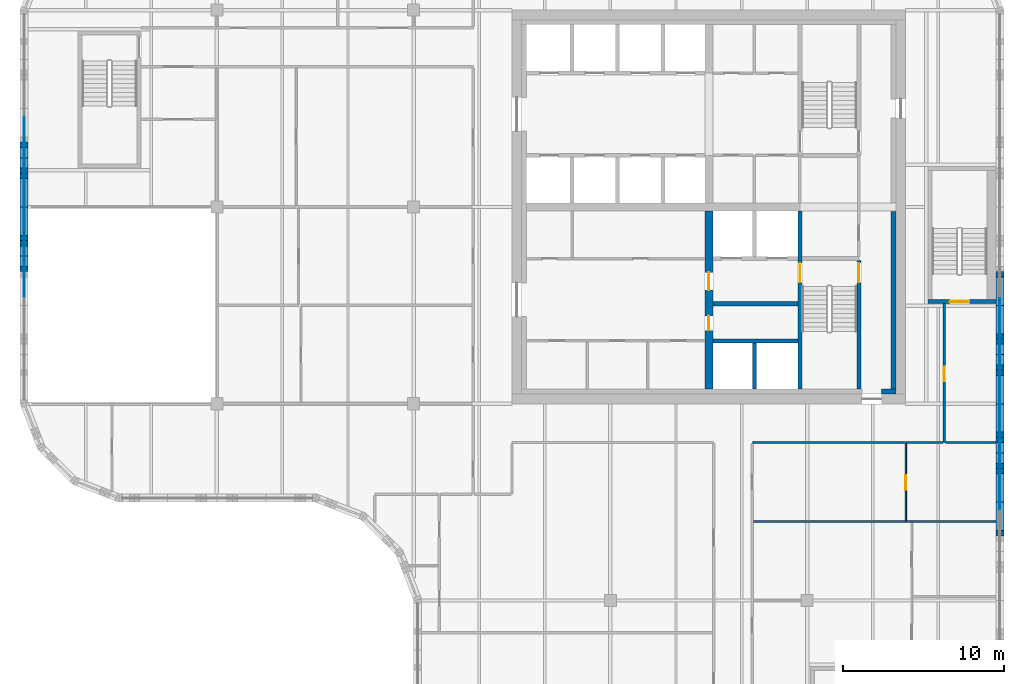
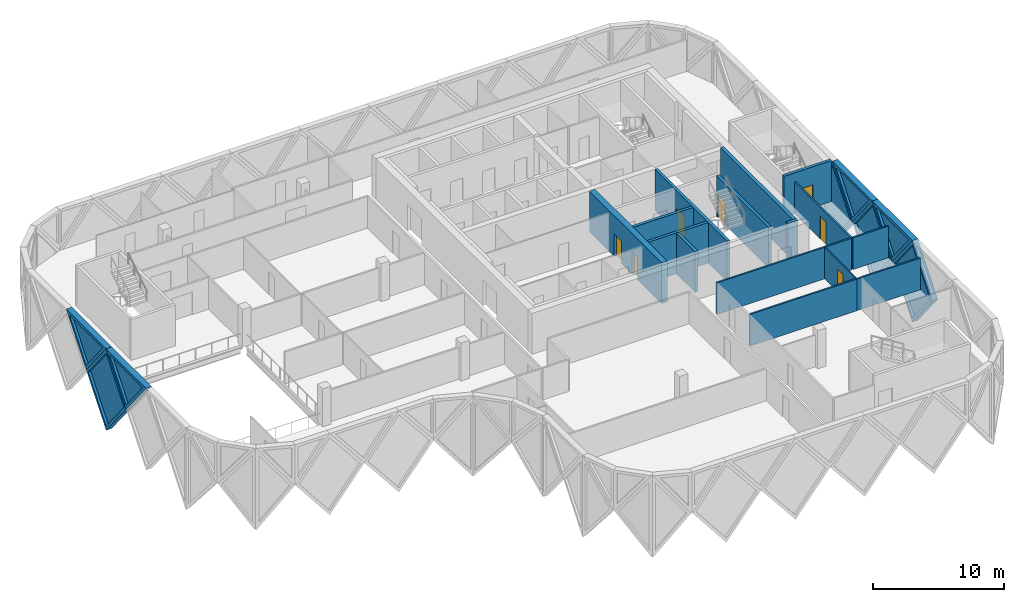
# One storey, part 8 of 15: 25 walls, 8 plates, 7 doors, 15 openings.
"""IFC4 building model written with IfcOpenShell, lengths in metres."""

import ifcopenshell
import ifcopenshell.guid

model = None  # the IFC model being written
_history = None  # IfcOwnerHistory: only IFC2X3 demands one
_inside = {}  # id of a spatial element -> (the spatial element, [elements in it])
_under = {}  # id of a project, library or spatial element -> (it, [spatial elements below it])
_declared = {}  # id of a project -> (the project, [libraries it declares])
_typed = {}  # id of a type object -> (the type object, [elements of that type])
_made_of = {}  # id of a material, layer set ... -> (it, [elements and type objects made of it])


def new_model(schema):
    """Start an empty IFC model of exactly this schema.

    Asked for "IFC4X3", IfcOpenShell would pick the latest addendum, in which some entities
    have other attributes; the version numbers below select the first issue.
    IFC2X3 requires an IfcOwnerHistory on every rooted entity: one is made here for all.
    """
    global model, _history
    if schema == "IFC4X3":
        model = ifcopenshell.file(schema_version=(4, 3, 0, 0))
    else:
        model = ifcopenshell.file(schema=schema)
    _inside.clear()
    _under.clear()
    _declared.clear()
    _typed.clear()
    _made_of.clear()
    _history = None
    if model.schema == "IFC2X3":
        org = make("IfcOrganization", Name="unknown")
        user = make(
            "IfcPersonAndOrganization",
            ThePerson=make("IfcPerson", FamilyName="unknown"),
            TheOrganization=org,
        )
        app = make(
            "IfcApplication",
            ApplicationDeveloper=org,
            Version="unknown",
            ApplicationFullName="unknown",
            ApplicationIdentifier="unknown",
        )
        _history = make(
            "IfcOwnerHistory",
            OwningUser=user,
            OwningApplication=app,
            ChangeAction="ADDED",
            CreationDate=0,
        )
    return model


def make(cls, **values):
    """One entity of the class cls with the attributes given. An attribute that is None is left unset."""
    return model.create_entity(
        cls, **{name: value for name, value in values.items() if value is not None}
    )


def rooted(cls, **values):
    """An entity with a GlobalId (a new one), such as an element, a storey or a relation."""
    return make(cls, GlobalId=ifcopenshell.guid.new(), OwnerHistory=_history, **values)


def si_unit(unit_type, name, prefix=None):
    """IfcSIUnit, for example si_unit("LENGTHUNIT", "METRE", prefix="MILLI")."""
    return make("IfcSIUnit", UnitType=unit_type, Prefix=prefix, Name=name)


def assignment(units):
    """IfcUnitAssignment: the units of a project."""
    return None if units is None else make("IfcUnitAssignment", Units=units)


def point(xyz):
    """IfcCartesianPoint."""
    return None if xyz is None else make("IfcCartesianPoint", Coordinates=xyz)


def direction(xyz):
    """IfcDirection."""
    return None if xyz is None else make("IfcDirection", DirectionRatios=xyz)


def frame(location, z_axis=None, x_axis=None):
    """IfcAxis2Placement3D, a coordinate frame: its origin and axes. An axis left out is left unset."""
    return make(
        "IfcAxis2Placement3D",
        Location=point(location),
        Axis=direction(z_axis),
        RefDirection=direction(x_axis),
    )


def frame_2d(location, x_axis=None):
    """IfcAxis2Placement2D, a coordinate frame in the plane: its origin and x axis."""
    return make(
        "IfcAxis2Placement2D", Location=point(location), RefDirection=direction(x_axis)
    )


def origin():
    """The frame at (0, 0, 0) with its axes left unset."""
    return frame((0.0, 0.0, 0.0))


def place(relative_to, where):
    """IfcLocalPlacement: puts the frame where relative to a parent placement (None: the world)."""
    return make(
        "IfcLocalPlacement", PlacementRelTo=relative_to, RelativePlacement=where
    )


def context(
    kind, dimensions, precision=None, world=None, true_north=None, identifier=None
):
    """IfcGeometricRepresentationContext, for example the 3D "Model" context."""
    return make(
        "IfcGeometricRepresentationContext",
        ContextIdentifier=identifier,
        ContextType=kind,
        CoordinateSpaceDimension=dimensions,
        Precision=precision,
        WorldCoordinateSystem=world,
        TrueNorth=true_north,
    )


def subcontext(parent, identifier, kind, view, scale=None):
    """IfcGeometricRepresentationSubContext, for example "Body" below "Model"."""
    return make(
        "IfcGeometricRepresentationSubContext",
        ContextIdentifier=identifier,
        ContextType=kind,
        ParentContext=parent,
        TargetScale=scale,
        TargetView=view,
    )


def project(units=None, contexts=None):
    """IfcProject with its units and contexts."""
    return rooted(
        "IfcProject",
        Name="project",
        RepresentationContexts=contexts,
        UnitsInContext=assignment(units),
    )


def spatial(cls, under=None, at=None, **own):
    """A site, building, storey or space (cls), placed at a placement, below another one or the project."""
    s = rooted(cls, ObjectPlacement=at, **own)
    if under is not None:
        _under.setdefault(under.id(), (under, []))[1].append(s)
    return s


def polyline(points):
    """IfcPolyline through the points."""
    return make("IfcPolyline", Points=[point(p) for p in points])


def profile(cls, at=None, kind="AREA", **sizes):
    """A parametric profile (cls). Its sizes go by their IFC names, for example OverallWidth=200.0."""
    return make(cls, ProfileType=kind, Position=at, **sizes)


def rectangle(**sizes):
    """IfcRectangleProfileDef."""
    return profile("IfcRectangleProfileDef", **sizes)


def outline(outer, holes=None, kind="AREA"):
    """IfcArbitraryClosedProfileDef: a profile drawn as a closed curve; with holes, ...WithVoids."""
    if holes is None:
        return make("IfcArbitraryClosedProfileDef", ProfileType=kind, OuterCurve=outer)
    return make(
        "IfcArbitraryProfileDefWithVoids",
        ProfileType=kind,
        OuterCurve=outer,
        InnerCurves=holes,
    )


def extrude(swept, where, along, depth):
    """IfcExtrudedAreaSolid: the profile swept, set in the frame where, extruded along a direction by depth."""
    return make(
        "IfcExtrudedAreaSolid",
        SweptArea=swept,
        Position=where,
        ExtrudedDirection=direction(along),
        Depth=depth,
    )


def faces_of(points, faces, orient=None, outer=None):
    """IfcFace entities. A face is a list of loops; a loop is a list of indices into points, from 0.

    orient and outer hold one flag for each loop. By default every Orientation is true, the
    first loop of a face is its IfcFaceOuterBound and the others are IfcFaceBound.
    """
    made = []
    for i, loops in enumerate(faces):
        bounds = []
        for j, loop in enumerate(loops):
            is_outer = j == 0 if outer is None else outer[i][j]
            bounds.append(
                make(
                    "IfcFaceOuterBound" if is_outer else "IfcFaceBound",
                    Bound=make("IfcPolyLoop", Polygon=[points[k] for k in loop]),
                    Orientation=True if orient is None else orient[i][j],
                )
            )
        made.append(make("IfcFace", Bounds=bounds))
    return made


def faceted_brep(points, faces, orient=None, outer=None, voids=None):
    """IfcFacetedBrep: a solid bounded by flat faces; with voids (closed shells), ...WithVoids."""
    shared = [point(p) for p in points]
    hull = make("IfcClosedShell", CfsFaces=faces_of(shared, faces, orient, outer))
    if voids is None:
        return make("IfcFacetedBrep", Outer=hull)
    return make(
        "IfcFacetedBrepWithVoids",
        Outer=hull,
        Voids=[
            make(cls, CfsFaces=faces_of(shared, fs, o, b)) for cls, fs, o, b in voids
        ],
    )


def shape(context_of_items, identifier, shape_type, items):
    """IfcShapeRepresentation: the items that make up one representation, for example the "Body"."""
    return make(
        "IfcShapeRepresentation",
        ContextOfItems=context_of_items,
        RepresentationIdentifier=identifier,
        RepresentationType=shape_type,
        Items=items,
    )


def source(mapping_origin, context_of_items, identifier, shape_type, items):
    """IfcRepresentationMap: a shape defined once, which mapped items show again and again."""
    return make(
        "IfcRepresentationMap",
        MappingOrigin=mapping_origin,
        MappedRepresentation=shape(context_of_items, identifier, shape_type, items),
    )


def transform(
    local_origin,
    x_axis=None,
    y_axis=None,
    z_axis=None,
    scale=None,
    scale2=None,
    scale3=None,
    uniform=True,
):
    """IfcCartesianTransformationOperator3D, or its non-uniform kind. x_axis, y_axis, z_axis: its Axis1, 2, 3."""
    if uniform:
        return make(
            "IfcCartesianTransformationOperator3D",
            Axis1=direction(x_axis),
            Axis2=direction(y_axis),
            LocalOrigin=point(local_origin),
            Scale=scale,
            Axis3=direction(z_axis),
        )
    return make(
        "IfcCartesianTransformationOperator3DnonUniform",
        Axis1=direction(x_axis),
        Axis2=direction(y_axis),
        LocalOrigin=point(local_origin),
        Scale=scale,
        Axis3=direction(z_axis),
        Scale2=scale2,
        Scale3=scale3,
    )


def mapped(mapping_source, mapping_target):
    """IfcMappedItem: shows the shape of a source again, moved by a transform."""
    return make(
        "IfcMappedItem", MappingSource=mapping_source, MappingTarget=mapping_target
    )


def material(Name=None, Category=None):
    """IfcMaterial."""
    return make("IfcMaterial", Name=Name, Category=Category)


def layer(
    of_material, thickness, ventilated=None, Name=None, Category=None, Priority=None
):
    """IfcMaterialLayer: one layer of a wall or slab, of a material (None: an air gap)."""
    return make(
        "IfcMaterialLayer",
        Material=of_material,
        LayerThickness=thickness,
        IsVentilated=ventilated,
        Name=Name,
        Category=Category,
        Priority=Priority,
    )


def layer_set(layers, Name=None):
    """IfcMaterialLayerSet."""
    return make("IfcMaterialLayerSet", MaterialLayers=layers, LayerSetName=Name)


def made_of(thing, what):
    """Note that an element or type object is made of a material, layer set ...; save() writes the relation."""
    if what is not None:
        _made_of.setdefault(what.id(), (what, []))[1].append(thing)
    return thing


def type_object(cls, material=None, **own):
    """A type object (cls), such as IfcWallType, which elements share."""
    return made_of(rooted(cls, **own), material)


def element(
    cls,
    number,
    at=None,
    inside=None,
    cuts=None,
    type_object=None,
    material=None,
    context=None,
    identifier="Body",
    shape_type=None,
    held_by="IfcProductDefinitionShape",
    body=None,
    shapes=None,
    **own,
):
    """One element of the class cls, such as IfcWall. Its Tag is "e" and its number.

    at: its placement. inside: the storey or other place that contains it. cuts: it is an
    opening in that element (IfcRelVoidsElement). A single representation is given by context,
    identifier, shape_type and body (its items); several are given by shapes. held_by: the class
    of the entity that holds the representations. save() writes the other relations.
    """
    e = rooted(cls, Tag="e%d" % number, ObjectPlacement=at, **own)
    if body is not None:
        shapes = [shape(context, identifier, shape_type, body)]
    if shapes is not None:
        e.Representation = make(held_by, Representations=shapes)
    if inside is not None:
        _inside.setdefault(inside.id(), (inside, []))[1].append(e)
    if cuts is not None:
        rooted(
            "IfcRelVoidsElement", RelatingBuildingElement=cuts, RelatedOpeningElement=e
        )
    if type_object is not None:
        _typed.setdefault(type_object.id(), (type_object, []))[1].append(e)
    return made_of(e, material)


def fill(opening, filler):
    """IfcRelFillsElement: the door or window that sits in an opening."""
    return rooted(
        "IfcRelFillsElement",
        RelatingOpeningElement=opening,
        RelatedBuildingElement=filler,
    )


def aggregate(whole, parts):
    """IfcRelAggregates: a whole, such as a stair, and the parts it consists of."""
    return rooted("IfcRelAggregates", RelatingObject=whole, RelatedObjects=parts)


def save(model, path):
    """Write the relations noted so far, then the file.

    IfcRelAggregates (storeys below a building ...), IfcRelContainedInSpatialStructure (elements
    in a storey), IfcRelDefinesByType, IfcRelAssociatesMaterial and IfcRelDeclares: one each for
    every whole, place, type object, material and project.
    """
    for whole, parts in _under.values():
        aggregate(whole, parts)
    for where, things in _inside.values():
        rooted(
            "IfcRelContainedInSpatialStructure",
            RelatedElements=things,
            RelatingStructure=where,
        )
    for kind, things in _typed.values():
        rooted("IfcRelDefinesByType", RelatedObjects=things, RelatingType=kind)
    for what, things in _made_of.values():
        rooted("IfcRelAssociatesMaterial", RelatedObjects=things, RelatingMaterial=what)
    for by, libraries in _declared.values():
        rooted("IfcRelDeclares", RelatingContext=by, RelatedDefinitions=libraries)
    model.write(path)


model = new_model("IFC4")

# Units and contexts
model_context = context("Model", 3, precision=1e-05, world=origin(), true_north=direction((0.0, 1.0)))
body_context = subcontext(model_context, "Body", "Model", "MODEL_VIEW")
ifc_project = project(units=[si_unit("LENGTHUNIT", "METRE"), si_unit("AREAUNIT", "SQUARE_METRE"), si_unit("VOLUMEUNIT", "CUBIC_METRE"), si_unit("PLANEANGLEUNIT", "RADIAN"), si_unit("MASSUNIT", "GRAM", prefix="KILO")], contexts=[model_context])

# Site, building, storey
site_placement = place(None, origin())
site = spatial("IfcSite", under=ifc_project, at=site_placement, CompositionType="ELEMENT")
building_placement = place(site_placement, origin())
building = spatial("IfcBuilding", under=site, at=building_placement, Name="Tessera Gate Towers", CompositionType="ELEMENT")
storey_placement = place(building_placement, frame((0.0, 0.0, 189.60009765625)))
storey = spatial("IfcBuildingStorey", under=building, at=storey_placement, Name="L47", CompositionType="ELEMENT", Elevation=189.60009765625)

# Wall, opening, door
ifc_material_1 = material(Name="Concrete C40/50", Category="concrete")
ifc_layer_1 = layer(ifc_material_1, 0.25)
ifc_layer_set_1 = layer_set([ifc_layer_1], Name="CORE ENCLOSURE WALL 250")
wall_type_1 = type_object("IfcWallType", Name="CORE ENCLOSURE WALL 250", PredefinedType="SOLIDWALL", material=ifc_layer_set_1)
wall_1_placement = place(storey_placement, frame((48.35009765625, 36.35009765625, 0.0), z_axis=(0.0, 0.0, 1.0), x_axis=(0.0, -1.0, 0.0)))
wall_1 = element("IfcWall", 1, at=wall_1_placement, inside=storey, type_object=wall_type_1, Name="L47 shaft and stair enclosure wall", PredefinedType="SOLIDWALL", context=body_context, shape_type="SweptSolid", body=[
    extrude(rectangle(XDim=11.050048828125, YDim=0.25, at=frame_2d((5.52490234375, 0.0))), origin(), (0.0, 0.0, 1.0), 3.7998046875),
])
shared_shape_1 = source(origin(), body_context, "Body", "SweptSolid", [
    extrude(rectangle(XDim=1.199951171875, YDim=2.10009765625, at=frame_2d((0.60009765625, 1.050048828125))), frame((0.0, 0.135009765625, 0.0), z_axis=(0.0, -1.0, 0.0), x_axis=(1.0, 0.0, 0.0)), (0.0, 0.0, 1.0), 0.27001953125),
])
opening_1_placement = place(wall_1_placement, frame((3.22509765625, 0.0, 0.0)))
opening_1 = element("IfcOpeningElement", 2, at=opening_1_placement, cuts=wall_1, Name="Opening SD-ST1-1", PredefinedType="OPENING", context=body_context, shape_type="MappedRepresentation", body=[
    mapped(shared_shape_1, transform((0.0, 0.0, 0.0), scale=1.0)),
])
ifc_material_2 = material(Name="Hollow steel fire door", Category="steel")
door_type_1 = type_object("IfcDoorType", Name="CORE DOOR SD 1200x2100", OperationType="NOTDEFINED", PredefinedType="DOOR", material=ifc_material_2)
shared_shape_2 = source(origin(), body_context, "Body", "SweptSolid", [
    extrude(rectangle(XDim=1.199951171875, YDim=2.10009765625, at=frame_2d((0.60009765625, 1.050048828125))), frame((0.0, 0.02490234375, 0.0), z_axis=(0.0, -1.0, 0.0), x_axis=(1.0, 0.0, 0.0)), (0.0, 0.0, 1.0), 0.050048828125),
])
door_1_placement = place(opening_1_placement, origin())
door_1 = element("IfcDoor", 3, at=door_1_placement, inside=storey, type_object=door_type_1, Name="Stair door", OperationType="SINGLE_SWING_LEFT", OverallHeight=2.10009765625, OverallWidth=1.199951171875, PredefinedType="DOOR", context=body_context, shape_type="MappedRepresentation", body=[
    mapped(shared_shape_2, transform((0.0, 0.0, 0.0), scale=1.0)),
])
fill(opening_1, door_1)

wall_2_placement = place(storey_placement, frame((52.0, 25.300048828125, 0.0), z_axis=(0.0, 0.0, 1.0), x_axis=(0.0, 1.0, 0.0)))
wall_2 = element("IfcWall", 4, at=wall_2_placement, inside=storey, type_object=wall_type_1, Name="L47 shaft and stair enclosure wall", PredefinedType="SOLIDWALL", context=body_context, shape_type="SweptSolid", body=[
    extrude(rectangle(XDim=7.974853515625, YDim=0.25, at=frame_2d((3.9873046875, 0.0))), origin(), (0.0, 0.0, 1.0), 3.7998046875),
])
opening_2_placement = place(wall_2_placement, frame((6.625, 0.0, 0.0)))
opening_2 = element("IfcOpeningElement", 5, at=opening_2_placement, cuts=wall_2, Name="Opening SD-ST1-2", PredefinedType="OPENING", context=body_context, shape_type="MappedRepresentation", body=[
    mapped(shared_shape_1, transform((0.0, 0.0, 0.0), scale=1.0)),
])
door_2_placement = place(opening_2_placement, origin())
door_2 = element("IfcDoor", 6, at=door_2_placement, inside=storey, type_object=door_type_1, Name="Stair door", OperationType="SINGLE_SWING_RIGHT", OverallHeight=2.10009765625, OverallWidth=1.199951171875, PredefinedType="DOOR", context=body_context, shape_type="MappedRepresentation", body=[
    mapped(shared_shape_2, transform((0.0, 0.0, 0.0), scale=1.0)),
])
fill(opening_2, door_2)

# Walls
for number, where, z_axis, x_axis, name in (
    (7, (42.949951171875, 28.300048828125, 0.0), (0.0, 0.0, 1.0), (1.0, 0.0, 0.0), "L47 shaft and stair enclosure wall"),
    (8, (42.949951171875, 30.60009765625, 0.0), (0.0, 0.0, 1.0), (1.0, 0.0, 0.0), "L47 shaft and stair enclosure wall"),
):
    element("IfcWall", number, at=place(storey_placement, frame(where, z_axis=z_axis, x_axis=x_axis)), inside=storey, type_object=wall_type_1, Name=name, PredefinedType="SOLIDWALL", context=body_context, shape_type="SweptSolid", body=[
        extrude(rectangle(XDim=5.275146484375, YDim=0.25, at=frame_2d((2.6376953125, 0.0))), origin(), (0.0, 0.0, 1.0), 3.7998046875),
    ])
wall_3_placement = place(storey_placement, frame((45.52490234375, 25.300048828125, 0.0), z_axis=(0.0, 0.0, 1.0), x_axis=(0.0, 1.0, 0.0)))
element("IfcWall", 9, at=wall_3_placement, inside=storey, type_object=wall_type_1, Name="L47 shaft and stair enclosure wall", PredefinedType="SOLIDWALL", context=body_context, shape_type="SweptSolid", body=[
    extrude(rectangle(XDim=2.875, YDim=0.25, at=frame_2d((1.4375, 0.0))), origin(), (0.0, 0.0, 1.0), 3.7998046875),
])

# Wall, opening, door
wall_4_placement = place(storey_placement, frame((60.5, 30.72509765625, 0.0), z_axis=(0.0, 0.0, 1.0), x_axis=(-1.0, 0.0, 0.0)))
wall_4 = element("IfcWall", 10, at=wall_4_placement, inside=storey, type_object=wall_type_1, Name="L47 ST5 enclosure wall", PredefinedType="SOLIDWALL", context=body_context, shape_type="SweptSolid", body=[
    extrude(rectangle(XDim=4.199951171875, YDim=0.25, at=frame_2d((2.10009765625, 0.0))), origin(), (0.0, 0.0, 1.0), 3.7998046875),
])
opening_3_placement = place(wall_4_placement, frame((1.64990234375, 0.0, 0.0)))
opening_3 = element("IfcOpeningElement", 11, at=opening_3_placement, cuts=wall_4, Name="Opening SD-ST5-1", PredefinedType="OPENING", context=body_context, shape_type="MappedRepresentation", body=[
    mapped(shared_shape_1, transform((0.0, 0.0, 0.0), scale=1.0)),
])
door_3_placement = place(opening_3_placement, origin())
door_3 = element("IfcDoor", 12, at=door_3_placement, inside=storey, type_object=door_type_1, Name="Stair door", OperationType="SINGLE_SWING_RIGHT", OverallHeight=2.10009765625, OverallWidth=1.199951171875, PredefinedType="DOOR", context=body_context, shape_type="MappedRepresentation", body=[
    mapped(shared_shape_2, transform((0.0, 0.0, 0.0), scale=1.0)),
])
fill(opening_3, door_3)

# Wall, openings, doors
ifc_material_3 = material(Name="Concrete C50/60", Category="concrete")
ifc_layer_2 = layer(ifc_material_3, 0.5)
ifc_layer_set_2 = layer_set([ifc_layer_2], Name="CORE SPINE WALL 500 C50/60")
wall_type_2 = type_object("IfcWallType", Name="CORE SPINE WALL 500 C50/60", PredefinedType="SHEAR", material=ifc_layer_set_2)
wall_5_placement = place(storey_placement, frame((42.699951171875, 36.35009765625, 0.0), z_axis=(0.0, 0.0, 1.0), x_axis=(0.0, -1.0, 0.0)))
wall_5 = element("IfcWall", 13, at=wall_5_placement, inside=storey, type_object=wall_type_2, Name="Core wall spine L47", PredefinedType="SHEAR", context=body_context, shape_type="SweptSolid", body=[
    extrude(rectangle(XDim=11.050048828125, YDim=0.5, at=frame_2d((5.52490234375, 0.0))), origin(), (0.0, 0.0, 1.0), 3.7998046875),
])
shared_shape_3 = source(origin(), body_context, "Body", "SweptSolid", [
    extrude(rectangle(XDim=0.89990234375, YDim=2.10009765625, at=frame_2d((0.449951171875, 1.050048828125))), frame((0.0, 0.260009765625, 0.0), z_axis=(0.0, -1.0, 0.0), x_axis=(1.0, 0.0, 0.0)), (0.0, 0.0, 1.0), 0.52001953125),
])
opening_4_placement = place(wall_5_placement, frame((6.5, 0.0, 0.0)))
opening_4 = element("IfcOpeningElement", 14, at=opening_4_placement, cuts=wall_5, Name="Opening RD-T1-29-05", PredefinedType="OPENING", context=body_context, shape_type="MappedRepresentation", body=[
    mapped(shared_shape_3, transform((0.0, 0.0, 0.0), scale=1.0)),
])
shared_shape_4 = source(origin(), body_context, "Body", "SweptSolid", [
    extrude(rectangle(XDim=1.10009765625, YDim=2.10009765625, at=frame_2d((0.550048828125, 1.050048828125))), frame((0.0, 0.260009765625, 0.0), z_axis=(0.0, -1.0, 0.0), x_axis=(1.0, 0.0, 0.0)), (0.0, 0.0, 1.0), 0.52001953125),
])
opening_5_placement = place(wall_5_placement, frame((3.800048828125, 0.0, 0.0)))
opening_5 = element("IfcOpeningElement", 15, at=opening_5_placement, cuts=wall_5, Name="Opening FD-T1-29-06", PredefinedType="OPENING", context=body_context, shape_type="MappedRepresentation", body=[
    mapped(shared_shape_4, transform((0.0, 0.0, 0.0), scale=1.0)),
])
ifc_material_4 = material(Name="Hollow steel fire door", Category="steel")
door_type_2 = type_object("IfcDoorType", Name="CORE DOOR RD 900x2100", OperationType="NOTDEFINED", PredefinedType="DOOR", material=ifc_material_4)
shared_shape_5 = source(origin(), body_context, "Body", "SweptSolid", [
    extrude(rectangle(XDim=0.89990234375, YDim=2.10009765625, at=frame_2d((0.449951171875, 1.050048828125))), frame((0.0, 0.02490234375, 0.0), z_axis=(0.0, -1.0, 0.0), x_axis=(1.0, 0.0, 0.0)), (0.0, 0.0, 1.0), 0.050048828125),
])
door_4_placement = place(opening_4_placement, origin())
door_4 = element("IfcDoor", 16, at=door_4_placement, inside=storey, type_object=door_type_2, Name="Core room door", OperationType="SINGLE_SWING_RIGHT", OverallHeight=2.10009765625, OverallWidth=0.89990234375, PredefinedType="DOOR", context=body_context, shape_type="MappedRepresentation", body=[
    mapped(shared_shape_5, transform((0.0, 0.0, 0.0), scale=1.0)),
])
fill(opening_4, door_4)
ifc_material_5 = material(Name="Hollow steel fire door", Category="steel")
door_type_3 = type_object("IfcDoorType", Name="CORE DOOR FD 1100x2100", OperationType="NOTDEFINED", PredefinedType="DOOR", material=ifc_material_5)
shared_shape_6 = source(origin(), body_context, "Body", "SweptSolid", [
    extrude(rectangle(XDim=1.10009765625, YDim=2.10009765625, at=frame_2d((0.550048828125, 1.050048828125))), frame((0.0, 0.02490234375, 0.0), z_axis=(0.0, -1.0, 0.0), x_axis=(1.0, 0.0, 0.0)), (0.0, 0.0, 1.0), 0.050048828125),
])
door_5_placement = place(opening_5_placement, origin())
door_5 = element("IfcDoor", 17, at=door_5_placement, inside=storey, type_object=door_type_3, Name="Fire-fighting lobby door", OperationType="SINGLE_SWING_LEFT", OverallHeight=2.10009765625, OverallWidth=1.10009765625, PredefinedType="DOOR", context=body_context, shape_type="MappedRepresentation", body=[
    mapped(shared_shape_6, transform((0.0, 0.0, 0.0), scale=1.0)),
])
fill(opening_5, door_5)

# Walls
ifc_material_6 = material(Name="Concrete C50/60", Category="concrete")
ifc_layer_3 = layer(ifc_material_6, 0.300048828125)
ifc_layer_set_3 = layer_set([ifc_layer_3], Name="CORE WALL THICKENING 300")
wall_type_3 = type_object("IfcWallType", Name="CORE WALL THICKENING 300", PredefinedType="SOLIDWALL", material=ifc_layer_set_3)
wall_6_placement = place(storey_placement, frame((53.39990234375, 25.14990234375, 0.0), z_axis=(0.0, 0.0, 1.0), x_axis=(1.0, 0.0, 0.0)))
element("IfcWall", 18, at=wall_6_placement, inside=storey, type_object=wall_type_3, Name="Core wall thickening S L47", PredefinedType="SOLIDWALL", context=body_context, shape_type="SweptSolid", body=[
    extrude(rectangle(XDim=0.900146484375, YDim=0.300048828125, at=frame_2d((0.4501953125, 0.0))), origin(), (0.0, 0.0, 1.0), 3.7998046875),
])
wall_7_placement = place(storey_placement, frame((54.14990234375, 25.300048828125, 0.0), z_axis=(0.0, 0.0, 1.0), x_axis=(0.0, 1.0, 0.0)))
element("IfcWall", 19, at=wall_7_placement, inside=storey, type_object=wall_type_3, Name="Core wall thickening E L47", PredefinedType="SOLIDWALL", context=body_context, shape_type="SweptSolid", body=[
    extrude(rectangle(XDim=11.02001953125, YDim=0.300048828125, at=frame_2d((5.510009765625, 0.0))), origin(), (0.0, 0.0, 1.0), 3.7998046875),
])
ifc_material_7 = material(Name="Gypsum board on steel studs, mineral wool", Category="steel")
ifc_layer_4 = layer(ifc_material_7, 0.14990234375)
ifc_layer_set_4 = layer_set([ifc_layer_4], Name="CORRIDOR WALL 150")
wall_type_4 = type_object("IfcWallType", Name="CORRIDOR WALL 150", PredefinedType="PARTITIONING", material=ifc_layer_set_4)
wall_8_placement = place(storey_placement, frame((45.39990234375, 22.0, 0.0), z_axis=(0.0, 0.0, 1.0), x_axis=(1.0, 0.0, 0.0)))
element("IfcWall", 20, at=wall_8_placement, inside=storey, type_object=wall_type_4, Name="T1-L47-PW-024", PredefinedType="PARTITIONING", context=body_context, shape_type="SweptSolid", body=[
    extrude(rectangle(XDim=9.5, YDim=0.14990234375, at=frame_2d((4.75, 0.0))), origin(), (0.0, 0.0, 1.0), 2.947021484375),
])
wall_9_placement = place(storey_placement, frame((54.9150390625, 22.0, 0.0), z_axis=(0.0, 0.0, 1.0), x_axis=(1.0, 0.0, 0.0)))
element("IfcWall", 21, at=wall_9_placement, inside=storey, type_object=wall_type_4, Name="T1-L47-PW-025", PredefinedType="PARTITIONING", context=body_context, shape_type="SweptSolid", body=[
    extrude(rectangle(XDim=2.30908203125, YDim=0.14990234375, at=frame_2d((1.154541015625, 0.0))), origin(), (0.0, 0.0, 1.0), 2.947021484375),
])

# Wall, opening, door
wall_10_placement = place(storey_placement, frame((57.300048828125, 30.60009765625, 0.0), z_axis=(0.0, 0.0, 1.0), x_axis=(0.0, -1.0, 0.0)))
wall_10 = element("IfcWall", 22, at=wall_10_placement, inside=storey, type_object=wall_type_4, Name="T1-L47-PW-026", PredefinedType="PARTITIONING", context=body_context, shape_type="SweptSolid", body=[
    extrude(rectangle(XDim=8.60009765625, YDim=0.14990234375, at=frame_2d((4.300048828125, 0.0))), origin(), (0.0, 0.0, 1.0), 2.947021484375),
])
shared_shape_7 = source(origin(), body_context, "Body", "SweptSolid", [
    extrude(rectangle(XDim=0.89990234375, YDim=2.10009765625, at=frame_2d((0.449951171875, 1.050048828125))), frame((0.0, 0.0849609375, 0.0), z_axis=(0.0, -1.0, 0.0), x_axis=(1.0, 0.0, 0.0)), (0.0, 0.0, 1.0), 0.169921875),
])
opening_6_placement = place(wall_10_placement, frame((3.89990234375, 0.0, 0.0)))
opening_6 = element("IfcOpeningElement", 23, at=opening_6_placement, cuts=wall_10, Name="Opening D890FD60-A17-05", PredefinedType="OPENING", context=body_context, shape_type="MappedRepresentation", body=[
    mapped(shared_shape_7, transform((0.0, 0.0, 0.0), scale=1.0)),
])
ifc_material_8 = material(Name="Timber door leaf in steel frame", Category="steel")
door_type_4 = type_object("IfcDoorType", Name="CORRIDOR DOOR 900 FD60", OperationType="NOTDEFINED", PredefinedType="DOOR", material=ifc_material_8)
door_6_placement = place(opening_6_placement, origin())
door_6 = element("IfcDoor", 24, at=door_6_placement, inside=storey, type_object=door_type_4, Name="T1-L47-PD-021", OperationType="SINGLE_SWING_RIGHT", OverallHeight=2.10009765625, OverallWidth=0.89990234375, PredefinedType="DOOR", context=body_context, shape_type="MappedRepresentation", body=[
    mapped(shared_shape_5, transform((0.0, 0.0, 0.0), scale=1.0)),
])
fill(opening_6, door_6)

# Wall
ifc_material_9 = material(Name="Glass", Category="glass")
ifc_layer_5 = layer(ifc_material_9, 0.10009765625)
ifc_layer_set_5 = layer_set([ifc_layer_5], Name="GLAZED PARTITION 100")
wall_type_5 = type_object("IfcWallType", Name="GLAZED PARTITION 100", PredefinedType="PARTITIONING", material=ifc_layer_set_5)
wall_11_placement = place(storey_placement, frame((54.916015625, 17.10009765625, 0.0), z_axis=(0.0, 0.0, 1.0), x_axis=(1.0, 0.0, 0.0)))
element("IfcWall", 25, at=wall_11_placement, inside=storey, type_object=wall_type_5, Name="T1-L47-PW-014", PredefinedType="PARTITIONING", context=body_context, shape_type="SweptSolid", body=[
    extrude(rectangle(XDim=0.373046875, YDim=0.10009765625, at=frame_2d((0.1865234375, 0.0))), origin(), (0.0, 0.0, 1.0), 2.947021484375),
])

# Wall, opening, door
wall_12_placement = place(storey_placement, frame((54.9150390625, 21.924072265625, 0.0), z_axis=(0.0, 0.0, 1.0), x_axis=(0.0, -1.0, 0.0)))
wall_12 = element("IfcWall", 26, at=wall_12_placement, inside=storey, type_object=wall_type_5, Name="T1-L47-PW-016", PredefinedType="PARTITIONING", context=body_context, shape_type="SweptSolid", body=[
    extrude(rectangle(XDim=4.748046875, YDim=0.10009765625, at=frame_2d((2.3740234375, 0.0))), origin(), (0.0, 0.0, 1.0), 2.947021484375),
])
shared_shape_8 = source(origin(), body_context, "Body", "SweptSolid", [
    extrude(rectangle(XDim=0.89990234375, YDim=2.10009765625, at=frame_2d((0.449951171875, 1.050048828125))), frame((0.0, 0.06005859375, 0.0), z_axis=(0.0, -1.0, 0.0), x_axis=(1.0, 0.0, 0.0)), (0.0, 0.0, 1.0), 0.1201171875),
])
opening_7_placement = place(wall_12_placement, frame((1.947998046875, 0.0, 0.0)))
opening_7 = element("IfcOpeningElement", 27, at=opening_7_placement, cuts=wall_12, Name="Opening D690-A17-03", PredefinedType="OPENING", context=body_context, shape_type="MappedRepresentation", body=[
    mapped(shared_shape_8, transform((0.0, 0.0, 0.0), scale=1.0)),
])
ifc_material_10 = material(Name="Glass in aluminium frame", Category="aluminium")
door_type_5 = type_object("IfcDoorType", Name="GLAZED DOOR 900 NOT RATED", OperationType="NOTDEFINED", PredefinedType="DOOR", material=ifc_material_10)
door_7_placement = place(opening_7_placement, origin())
door_7 = element("IfcDoor", 28, at=door_7_placement, inside=storey, type_object=door_type_5, Name="T1-L47-PD-008", OperationType="SINGLE_SWING_RIGHT", OverallHeight=2.10009765625, OverallWidth=0.89990234375, PredefinedType="DOOR", context=body_context, shape_type="MappedRepresentation", body=[
    mapped(shared_shape_5, transform((0.0, 0.0, 0.0), scale=1.0)),
])
fill(opening_7, door_7)

# Walls
ifc_material_11 = material(Name="Gypsum board on steel studs, mineral wool", Category="steel")
ifc_layer_6 = layer(ifc_material_11, 0.14990234375)
ifc_layer_set_6 = layer_set([ifc_layer_6], Name="TENANCY WALL 150")
wall_type_6 = type_object("IfcWallType", Name="TENANCY WALL 150", PredefinedType="PARTITIONING", material=ifc_layer_set_6)
wall_13_placement = place(storey_placement, frame((45.47607421875, 17.10009765625, 0.0), z_axis=(0.0, 0.0, 1.0), x_axis=(1.0, 0.0, 0.0)))
element("IfcWall", 29, at=wall_13_placement, inside=storey, type_object=wall_type_6, Name="T1-L47-PW-013", PredefinedType="PARTITIONING", context=body_context, shape_type="SweptSolid", body=[
    extrude(rectangle(XDim=9.43896484375, YDim=0.14990234375, at=frame_2d((4.719482421875, 0.0))), origin(), (0.0, 0.0, 1.0), 2.947021484375),
])
wall_14_placement = place(storey_placement, frame((55.2900390625, 17.10009765625, 0.0), z_axis=(0.0, 0.0, 1.0), x_axis=(1.0, 0.0, 0.0)))
element("IfcWall", 30, at=wall_14_placement, inside=storey, type_object=wall_type_6, Name="T1-L47-PW-015", PredefinedType="PARTITIONING", context=body_context, shape_type="SweptSolid", body=[
    extrude(rectangle(XDim=5.2099609375, YDim=0.14990234375, at=frame_2d((2.60498046875, 0.0))), origin(), (0.0, 0.0, 1.0), 2.947021484375),
])
wall_15_placement = place(storey_placement, frame((57.3759765625, 22.0, 0.0), z_axis=(0.0, 0.0, 1.0), x_axis=(1.0, 0.0, 0.0)))
element("IfcWall", 31, at=wall_15_placement, inside=storey, type_object=wall_type_6, Name="T1-L47-PW-027", PredefinedType="PARTITIONING", context=body_context, shape_type="SweptSolid", body=[
    extrude(rectangle(XDim=3.1240234375, YDim=0.14990234375, at=frame_2d((1.56201171875, 0.0))), origin(), (0.0, 0.0, 1.0), 2.947021484375),
])

# Wall, opening, plate
ifc_material_12 = material(Name="Precast concrete C60/75 white", Category="concrete")
ifc_layer_7 = layer(ifc_material_12, 0.5)
ifc_layer_set_7 = layer_set([ifc_layer_7], Name="TS1 tessera")
wall_type_7 = type_object("IfcWallType", Name="TS1 tessera", PredefinedType="SOLIDWALL", material=ifc_layer_set_7)
shared_shape_9 = source(origin(), body_context, "Body", "Brep", [
    faceted_brep([(3.050048828125, -0.25, 0.0), (6.099853515625, -0.25, 3.7998046875), (6.099853515625, -0.25, 3.80029296875), (3.050048828125, -0.25, 7.599853515625), (0.0, -0.25, 3.800048828125), (0.0, 0.25, 3.800048828125), (3.050048828125, 0.25, 7.599853515625), (6.099853515625, 0.25, 3.80029296875), (6.099853515625, 0.25, 3.7998046875), (3.050048828125, 0.25, 0.0)], [[[0, 1, 2, 3, 4]], [[5, 6, 7, 8, 9]], [[9, 8, 1, 0]], [[7, 6, 3, 2]], [[6, 5, 4, 3]], [[5, 9, 0, 4]], [[1, 8, 7, 2]]]),
])
wall_16_placement = place(storey_placement, frame((60.75, 21.35009765625, -3.800048828125), z_axis=(0.0, 0.0, 1.0), x_axis=(0.0, 1.0, 0.0)))
wall_16 = element("IfcWall", 32, at=wall_16_placement, inside=storey, type_object=wall_type_7, Name="Precast tessera T1 TS1-0834", PredefinedType="SOLIDWALL", context=body_context, shape_type="MappedRepresentation", body=[
    mapped(shared_shape_9, transform((0.0, 0.0, 0.0), scale=1.0)),
])
shared_shape_10 = source(origin(), body_context, "Body", "SweptSolid", [
    extrude(outline(polyline([(3.050048828125, 0.3994140625), (5.779541015625, 3.800048828125), (3.050048828125, 7.200439453125), (0.320556640625, 3.800048828125), (3.050048828125, 0.3994140625)])), frame((0.0, 0.260009765625, 0.0), z_axis=(0.0, -1.0, 0.0), x_axis=(1.0, 0.0, 0.0)), (0.0, 0.0, 1.0), 0.52001953125),
])
opening_8_placement = place(wall_16_placement, origin())
opening_8 = element("IfcOpeningElement", 33, at=opening_8_placement, cuts=wall_16, Name="Opening T1-PL2-1702", PredefinedType="OPENING", context=body_context, shape_type="MappedRepresentation", body=[
    mapped(shared_shape_10, transform((0.0, 0.0, 0.0), scale=1.0)),
])
ifc_material_13 = material(Name="Low-e laminated glass", Category="glass")
ifc_layer_8 = layer(ifc_material_13, 0.06005859375)
ifc_layer_set_8 = layer_set([ifc_layer_8], Name="PL2 rhombic pane")
plate_type_1 = type_object("IfcPlateType", Name="PL2 rhombic pane", PredefinedType="SHEET", material=ifc_layer_set_8)
shared_shape_11 = source(origin(), body_context, "Body", "SweptSolid", [
    extrude(outline(polyline([(3.050048828125, 0.3994140625), (5.779541015625, 3.800048828125), (3.050048828125, 7.200439453125), (0.320556640625, 3.800048828125), (3.050048828125, 0.3994140625)])), frame((0.0, 0.030029296875, 0.0), z_axis=(0.0, -1.0, 0.0), x_axis=(1.0, 0.0, 0.0)), (0.0, 0.0, 1.0), 0.06005859375),
])
plate_1_placement = place(opening_8_placement, origin())
plate_1 = element("IfcPlate", 34, at=plate_1_placement, inside=storey, type_object=plate_type_1, Name="Glass pane T1 PL2-1702", PredefinedType="SHEET", context=body_context, shape_type="MappedRepresentation", body=[
    mapped(shared_shape_11, transform((0.0, 0.0, 0.0), scale=1.0)),
])
fill(opening_8, plate_1)

wall_17_placement = place(storey_placement, frame((0.25, 39.64990234375, -3.800048828125), z_axis=(0.0, 0.0, 1.0), x_axis=(0.0, -1.0, 0.0)))
wall_17 = element("IfcWall", 35, at=wall_17_placement, inside=storey, type_object=wall_type_7, Name="Precast tessera T1 TS1-0847", PredefinedType="SOLIDWALL", context=body_context, shape_type="MappedRepresentation", body=[
    mapped(shared_shape_9, transform((0.0, 0.0, 0.0), scale=1.0)),
])
opening_9_placement = place(wall_17_placement, origin())
opening_9 = element("IfcOpeningElement", 36, at=opening_9_placement, cuts=wall_17, Name="Opening T1-PL2-1723", PredefinedType="OPENING", context=body_context, shape_type="MappedRepresentation", body=[
    mapped(shared_shape_10, transform((0.0, 0.0, 0.0), scale=1.0)),
])
plate_2_placement = place(opening_9_placement, origin())
plate_2 = element("IfcPlate", 37, at=plate_2_placement, inside=storey, type_object=plate_type_1, Name="Glass pane T1 PL2-1723", PredefinedType="SHEET", context=body_context, shape_type="MappedRepresentation", body=[
    mapped(shared_shape_11, transform((0.0, 0.0, 0.0), scale=1.0)),
])
fill(opening_9, plate_2)

shared_shape_12 = source(origin(), body_context, "Body", "SweptSolid", [
    extrude(outline(polyline([(3.050048828125, 0.0), (6.10009765625, 3.800048828125), (3.050048828125, 7.599853515625), (0.0, 3.800048828125), (3.050048828125, 0.0)])), frame((0.0, 0.25, 0.0), z_axis=(0.0, -1.0, 0.0), x_axis=(1.0, 0.0, 0.0)), (0.0, 0.0, 1.0), 0.5),
])
wall_18_placement = place(storey_placement, frame((60.75, 15.25, -3.800048828125), z_axis=(0.0, 0.0, 1.0), x_axis=(0.0, 1.0, 0.0)))
wall_18 = element("IfcWall", 38, at=wall_18_placement, inside=storey, type_object=wall_type_7, Name="Precast tessera T1 TS1-0833", PredefinedType="SOLIDWALL", context=body_context, shape_type="MappedRepresentation", body=[
    mapped(shared_shape_12, transform((0.0, 0.0, 0.0), scale=1.0)),
])
opening_10_placement = place(wall_18_placement, origin())
opening_10 = element("IfcOpeningElement", 39, at=opening_10_placement, cuts=wall_18, Name="Opening T1-PL2-1701", PredefinedType="OPENING", context=body_context, shape_type="MappedRepresentation", body=[
    mapped(shared_shape_10, transform((0.0, 0.0, 0.0), scale=1.0)),
])
plate_3_placement = place(opening_10_placement, origin())
plate_3 = element("IfcPlate", 40, at=plate_3_placement, inside=storey, type_object=plate_type_1, Name="Glass pane T1 PL2-1701", PredefinedType="SHEET", context=body_context, shape_type="MappedRepresentation", body=[
    mapped(shared_shape_11, transform((0.0, 0.0, 0.0), scale=1.0)),
])
fill(opening_10, plate_3)

wall_19_placement = place(storey_placement, frame((60.75, 27.449951171875, -3.800048828125), z_axis=(0.0, 0.0, 1.0), x_axis=(0.0, 1.0, 0.0)))
wall_19 = element("IfcWall", 41, at=wall_19_placement, inside=storey, type_object=wall_type_7, Name="Precast tessera T1 TS1-0835", PredefinedType="SOLIDWALL", context=body_context, shape_type="MappedRepresentation", body=[
    mapped(shared_shape_12, transform((0.0, 0.0, 0.0), scale=1.0)),
])
opening_11_placement = place(wall_19_placement, origin())
opening_11 = element("IfcOpeningElement", 42, at=opening_11_placement, cuts=wall_19, Name="Opening T1-PL2-1703", PredefinedType="OPENING", context=body_context, shape_type="MappedRepresentation", body=[
    mapped(shared_shape_10, transform((0.0, 0.0, 0.0), scale=1.0)),
])
plate_4_placement = place(opening_11_placement, origin())
plate_4 = element("IfcPlate", 43, at=plate_4_placement, inside=storey, type_object=plate_type_1, Name="Glass pane T1 PL2-1703", PredefinedType="SHEET", context=body_context, shape_type="MappedRepresentation", body=[
    mapped(shared_shape_11, transform((0.0, 0.0, 0.0), scale=1.0)),
])
fill(opening_11, plate_4)

ifc_material_14 = material(Name="Precast concrete C60/75 white", Category="concrete")
ifc_layer_9 = layer(ifc_material_14, 0.5)
ifc_layer_set_9 = layer_set([ifc_layer_9], Name="TS2 half tessera")
wall_type_8 = type_object("IfcWallType", Name="TS2 half tessera", PredefinedType="SOLIDWALL", material=ifc_layer_set_9)
shared_shape_13 = source(origin(), body_context, "Body", "Brep", [
    faceted_brep([(3.050048828125, -0.25, 0.0), (6.099853515625, -0.25, 3.799560546875), (6.099853515625, -0.25, 3.7998046875), (0.0, -0.25, 3.7998046875), (0.0, 0.25, 3.7998046875), (6.099853515625, 0.25, 3.7998046875), (6.099853515625, 0.25, 3.799560546875), (3.050048828125, 0.25, 0.0)], [[[0, 1, 2, 3]], [[4, 5, 6, 7]], [[7, 6, 1, 0]], [[5, 4, 3, 2]], [[4, 7, 0, 3]], [[1, 6, 5, 2]]]),
])
wall_20_placement = place(storey_placement, frame((60.75, 18.300048828125, 0.0), z_axis=(0.0, 0.0, 1.0), x_axis=(0.0, 1.0, 0.0)))
wall_20 = element("IfcWall", 44, at=wall_20_placement, inside=storey, type_object=wall_type_8, Name="Precast half tessera T1 TS2-0212", PredefinedType="SOLIDWALL", context=body_context, shape_type="MappedRepresentation", body=[
    mapped(shared_shape_13, transform((0.0, 0.0, 0.0), scale=1.0)),
])
shared_shape_14 = source(origin(), body_context, "Body", "SweptSolid", [
    extrude(outline(polyline([(3.050048828125, 0.3994140625), (5.578857421875, 3.5498046875), (0.521240234375, 3.5498046875), (3.050048828125, 0.3994140625)])), frame((0.0, 0.260009765625, 0.0), z_axis=(0.0, -1.0, 0.0), x_axis=(1.0, 0.0, 0.0)), (0.0, 0.0, 1.0), 0.52001953125),
])
opening_12_placement = place(wall_20_placement, origin())
opening_12 = element("IfcOpeningElement", 45, at=opening_12_placement, cuts=wall_20, Name="Opening T1-PL1-0434", PredefinedType="OPENING", context=body_context, shape_type="MappedRepresentation", body=[
    mapped(shared_shape_14, transform((0.0, 0.0, 0.0), scale=1.0)),
])
ifc_material_15 = material(Name="Low-e laminated glass", Category="glass")
ifc_layer_10 = layer(ifc_material_15, 0.06005859375)
ifc_layer_set_10 = layer_set([ifc_layer_10], Name="PL1 triangular pane")
plate_type_2 = type_object("IfcPlateType", Name="PL1 triangular pane", PredefinedType="SHEET", material=ifc_layer_set_10)
shared_shape_15 = source(origin(), body_context, "Body", "SweptSolid", [
    extrude(outline(polyline([(3.050048828125, 0.3994140625), (5.578857421875, 3.5498046875), (0.521240234375, 3.5498046875), (3.050048828125, 0.3994140625)])), frame((0.0, 0.030029296875, 0.0), z_axis=(0.0, -1.0, 0.0), x_axis=(1.0, 0.0, 0.0)), (0.0, 0.0, 1.0), 0.06005859375),
])
plate_5_placement = place(opening_12_placement, origin())
plate_5 = element("IfcPlate", 46, at=plate_5_placement, inside=storey, type_object=plate_type_2, Name="Glass pane T1 PL1-0434", PredefinedType="SHEET", context=body_context, shape_type="MappedRepresentation", body=[
    mapped(shared_shape_15, transform((0.0, 0.0, 0.0), scale=1.0)),
])
fill(opening_12, plate_5)

wall_21_placement = place(storey_placement, frame((0.25, 42.699951171875, 0.0), z_axis=(0.0, 0.0, 1.0), x_axis=(0.0, -1.0, 0.0)))
wall_21 = element("IfcWall", 47, at=wall_21_placement, inside=storey, type_object=wall_type_8, Name="Precast half tessera T1 TS2-0225", PredefinedType="SOLIDWALL", context=body_context, shape_type="MappedRepresentation", body=[
    mapped(shared_shape_13, transform((0.0, 0.0, 0.0), scale=1.0)),
])
opening_13_placement = place(wall_21_placement, origin())
opening_13 = element("IfcOpeningElement", 48, at=opening_13_placement, cuts=wall_21, Name="Opening T1-PL1-0455", PredefinedType="OPENING", context=body_context, shape_type="MappedRepresentation", body=[
    mapped(shared_shape_14, transform((0.0, 0.0, 0.0), scale=1.0)),
])
plate_6_placement = place(opening_13_placement, origin())
plate_6 = element("IfcPlate", 49, at=plate_6_placement, inside=storey, type_object=plate_type_2, Name="Glass pane T1 PL1-0455", PredefinedType="SHEET", context=body_context, shape_type="MappedRepresentation", body=[
    mapped(shared_shape_15, transform((0.0, 0.0, 0.0), scale=1.0)),
])
fill(opening_13, plate_6)

shared_shape_16 = source(origin(), body_context, "Body", "SweptSolid", [
    extrude(outline(polyline([(3.050048828125, 0.0), (6.10009765625, 3.7998046875), (0.0, 3.7998046875), (3.050048828125, 0.0)])), frame((0.0, 0.25, 0.0), z_axis=(0.0, -1.0, 0.0), x_axis=(1.0, 0.0, 0.0)), (0.0, 0.0, 1.0), 0.5),
])
wall_22_placement = place(storey_placement, frame((60.75, 24.39990234375, 0.0), z_axis=(0.0, 0.0, 1.0), x_axis=(0.0, 1.0, 0.0)))
wall_22 = element("IfcWall", 50, at=wall_22_placement, inside=storey, type_object=wall_type_8, Name="Precast half tessera T1 TS2-0213", PredefinedType="SOLIDWALL", context=body_context, shape_type="MappedRepresentation", body=[
    mapped(shared_shape_16, transform((0.0, 0.0, 0.0), scale=1.0)),
])
opening_14_placement = place(wall_22_placement, origin())
opening_14 = element("IfcOpeningElement", 51, at=opening_14_placement, cuts=wall_22, Name="Opening T1-PL1-0435", PredefinedType="OPENING", context=body_context, shape_type="MappedRepresentation", body=[
    mapped(shared_shape_14, transform((0.0, 0.0, 0.0), scale=1.0)),
])
plate_7_placement = place(opening_14_placement, origin())
plate_7 = element("IfcPlate", 52, at=plate_7_placement, inside=storey, type_object=plate_type_2, Name="Glass pane T1 PL1-0435", PredefinedType="SHEET", context=body_context, shape_type="MappedRepresentation", body=[
    mapped(shared_shape_15, transform((0.0, 0.0, 0.0), scale=1.0)),
])
fill(opening_14, plate_7)

wall_23_placement = place(storey_placement, frame((0.25, 36.60009765625, 0.0), z_axis=(0.0, 0.0, 1.0), x_axis=(0.0, -1.0, 0.0)))
wall_23 = element("IfcWall", 53, at=wall_23_placement, inside=storey, type_object=wall_type_8, Name="Precast half tessera T1 TS2-0226", PredefinedType="SOLIDWALL", context=body_context, shape_type="MappedRepresentation", body=[
    mapped(shared_shape_16, transform((0.0, 0.0, 0.0), scale=1.0)),
])
opening_15_placement = place(wall_23_placement, origin())
opening_15 = element("IfcOpeningElement", 54, at=opening_15_placement, cuts=wall_23, Name="Opening T1-PL1-0456", PredefinedType="OPENING", context=body_context, shape_type="MappedRepresentation", body=[
    mapped(shared_shape_14, transform((0.0, 0.0, 0.0), scale=1.0)),
])
plate_8_placement = place(opening_15_placement, origin())
plate_8 = element("IfcPlate", 55, at=plate_8_placement, inside=storey, type_object=plate_type_2, Name="Glass pane T1 PL1-0456", PredefinedType="SHEET", context=body_context, shape_type="MappedRepresentation", body=[
    mapped(shared_shape_15, transform((0.0, 0.0, 0.0), scale=1.0)),
])
fill(opening_15, plate_8)

save(model, "model.ifc")
